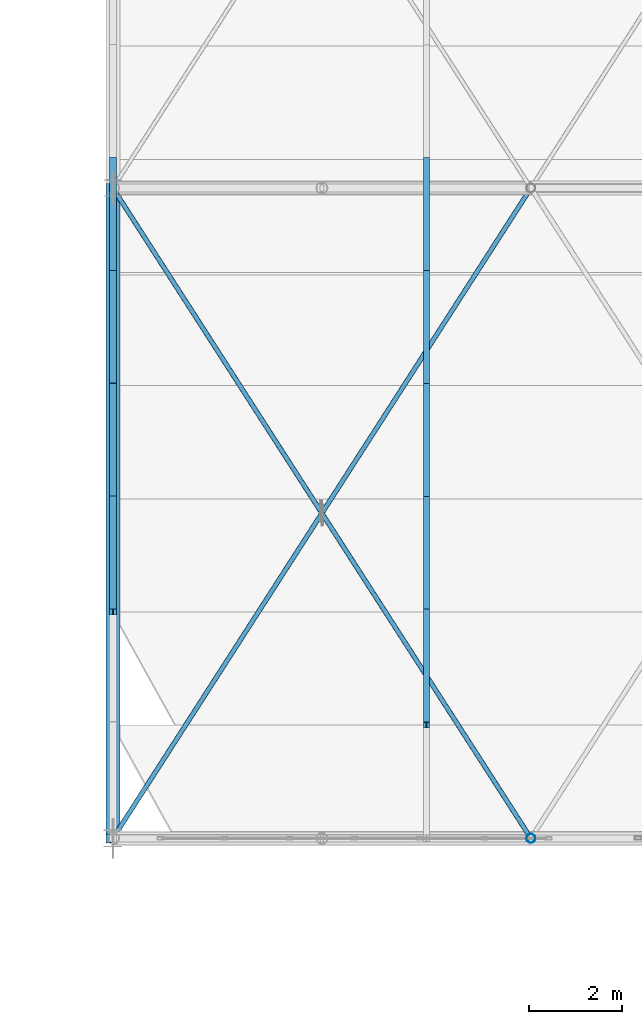
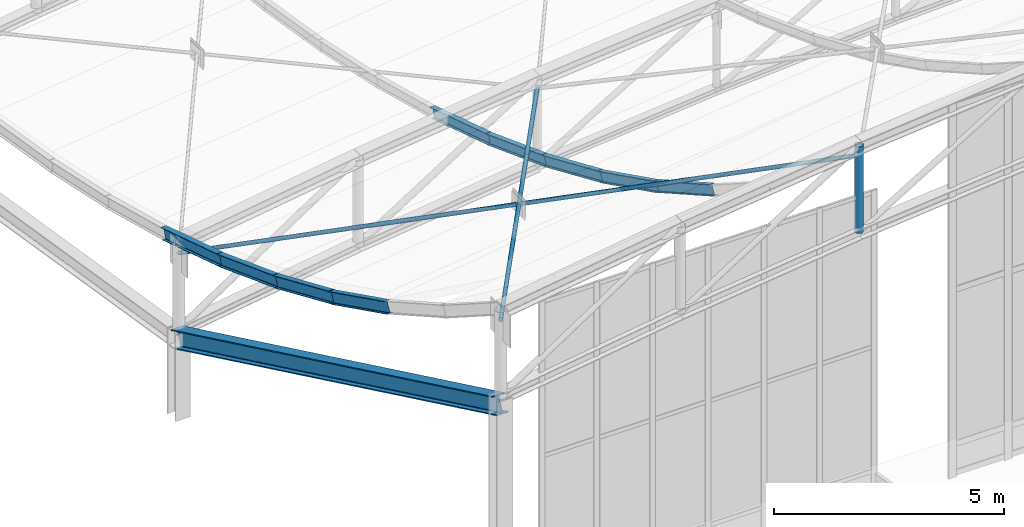
# One storey, part 138 of 262: 13 members, 1 beam.
"""IFC4 building model written with IfcOpenShell, lengths in metres."""

import ifcopenshell
import ifcopenshell.guid

model = None  # the IFC model being written
_history = None  # IfcOwnerHistory: only IFC2X3 demands one
_inside = {}  # id of a spatial element -> (the spatial element, [elements in it])
_under = {}  # id of a project, library or spatial element -> (it, [spatial elements below it])
_declared = {}  # id of a project -> (the project, [libraries it declares])
_typed = {}  # id of a type object -> (the type object, [elements of that type])
_made_of = {}  # id of a material, layer set ... -> (it, [elements and type objects made of it])


def new_model(schema):
    """Start an empty IFC model of exactly this schema.

    Asked for "IFC4X3", IfcOpenShell would pick the latest addendum, in which some entities
    have other attributes; the version numbers below select the first issue.
    IFC2X3 requires an IfcOwnerHistory on every rooted entity: one is made here for all.
    """
    global model, _history
    if schema == "IFC4X3":
        model = ifcopenshell.file(schema_version=(4, 3, 0, 0))
    else:
        model = ifcopenshell.file(schema=schema)
    _inside.clear()
    _under.clear()
    _declared.clear()
    _typed.clear()
    _made_of.clear()
    _history = None
    if model.schema == "IFC2X3":
        org = make("IfcOrganization", Name="unknown")
        user = make(
            "IfcPersonAndOrganization",
            ThePerson=make("IfcPerson", FamilyName="unknown"),
            TheOrganization=org,
        )
        app = make(
            "IfcApplication",
            ApplicationDeveloper=org,
            Version="unknown",
            ApplicationFullName="unknown",
            ApplicationIdentifier="unknown",
        )
        _history = make(
            "IfcOwnerHistory",
            OwningUser=user,
            OwningApplication=app,
            ChangeAction="ADDED",
            CreationDate=0,
        )
    return model


def make(cls, **values):
    """One entity of the class cls with the attributes given. An attribute that is None is left unset."""
    return model.create_entity(
        cls, **{name: value for name, value in values.items() if value is not None}
    )


def rooted(cls, **values):
    """An entity with a GlobalId (a new one), such as an element, a storey or a relation."""
    return make(cls, GlobalId=ifcopenshell.guid.new(), OwnerHistory=_history, **values)


def si_unit(unit_type, name, prefix=None):
    """IfcSIUnit, for example si_unit("LENGTHUNIT", "METRE", prefix="MILLI")."""
    return make("IfcSIUnit", UnitType=unit_type, Prefix=prefix, Name=name)


def derived_unit(unit_type, elements):
    """IfcDerivedUnit: a product of units, each with its exponent."""
    return make(
        "IfcDerivedUnit",
        Elements=[
            make("IfcDerivedUnitElement", Unit=unit, Exponent=power)
            for unit, power in elements
        ],
        UnitType=unit_type,
    )


def assignment(units):
    """IfcUnitAssignment: the units of a project."""
    return None if units is None else make("IfcUnitAssignment", Units=units)


def point(xyz):
    """IfcCartesianPoint."""
    return None if xyz is None else make("IfcCartesianPoint", Coordinates=xyz)


def direction(xyz):
    """IfcDirection."""
    return None if xyz is None else make("IfcDirection", DirectionRatios=xyz)


def frame(location, z_axis=None, x_axis=None):
    """IfcAxis2Placement3D, a coordinate frame: its origin and axes. An axis left out is left unset."""
    return make(
        "IfcAxis2Placement3D",
        Location=point(location),
        Axis=direction(z_axis),
        RefDirection=direction(x_axis),
    )


def frame_2d(location, x_axis=None):
    """IfcAxis2Placement2D, a coordinate frame in the plane: its origin and x axis."""
    return make(
        "IfcAxis2Placement2D", Location=point(location), RefDirection=direction(x_axis)
    )


def origin():
    """The frame at (0, 0, 0) with its axes left unset."""
    return frame((0.0, 0.0, 0.0))


def origin_2d():
    """The frame at (0, 0) in the plane with its x axis left unset."""
    return frame_2d((0.0, 0.0))


def place(relative_to, where):
    """IfcLocalPlacement: puts the frame where relative to a parent placement (None: the world)."""
    return make(
        "IfcLocalPlacement", PlacementRelTo=relative_to, RelativePlacement=where
    )


def context(
    kind, dimensions, precision=None, world=None, true_north=None, identifier=None
):
    """IfcGeometricRepresentationContext, for example the 3D "Model" context."""
    return make(
        "IfcGeometricRepresentationContext",
        ContextIdentifier=identifier,
        ContextType=kind,
        CoordinateSpaceDimension=dimensions,
        Precision=precision,
        WorldCoordinateSystem=world,
        TrueNorth=true_north,
    )


def subcontext(parent, identifier, kind, view, scale=None):
    """IfcGeometricRepresentationSubContext, for example "Body" below "Model"."""
    return make(
        "IfcGeometricRepresentationSubContext",
        ContextIdentifier=identifier,
        ContextType=kind,
        ParentContext=parent,
        TargetScale=scale,
        TargetView=view,
    )


def project(units=None, contexts=None):
    """IfcProject with its units and contexts."""
    return rooted(
        "IfcProject",
        Name="project",
        RepresentationContexts=contexts,
        UnitsInContext=assignment(units),
    )


def spatial(cls, under=None, at=None, **own):
    """A site, building, storey or space (cls), placed at a placement, below another one or the project."""
    s = rooted(cls, ObjectPlacement=at, **own)
    if under is not None:
        _under.setdefault(under.id(), (under, []))[1].append(s)
    return s


def profile(cls, at=None, kind="AREA", **sizes):
    """A parametric profile (cls). Its sizes go by their IFC names, for example OverallWidth=200.0."""
    return make(cls, ProfileType=kind, Position=at, **sizes)


def hollow_circle(**sizes):
    """IfcCircleHollowProfileDef."""
    return profile("IfcCircleHollowProfileDef", **sizes)


def i_section(**sizes):
    """IfcIShapeProfileDef."""
    return profile("IfcIShapeProfileDef", **sizes)


def extrude(swept, where, along, depth):
    """IfcExtrudedAreaSolid: the profile swept, set in the frame where, extruded along a direction by depth."""
    return make(
        "IfcExtrudedAreaSolid",
        SweptArea=swept,
        Position=where,
        ExtrudedDirection=direction(along),
        Depth=depth,
    )


def shape(context_of_items, identifier, shape_type, items):
    """IfcShapeRepresentation: the items that make up one representation, for example the "Body"."""
    return make(
        "IfcShapeRepresentation",
        ContextOfItems=context_of_items,
        RepresentationIdentifier=identifier,
        RepresentationType=shape_type,
        Items=items,
    )


def material(Name=None, Category=None):
    """IfcMaterial."""
    return make("IfcMaterial", Name=Name, Category=Category)


def material_profile(
    of_material, cross_section, Name=None, Category=None, Priority=None
):
    """IfcMaterialProfile: a cross section and its material."""
    return make(
        "IfcMaterialProfile",
        Name=Name,
        Material=of_material,
        Profile=cross_section,
        Priority=Priority,
        Category=Category,
    )


def profile_set(profiles, Name=None, composite=None):
    """IfcMaterialProfileSet."""
    return make(
        "IfcMaterialProfileSet",
        Name=Name,
        MaterialProfiles=profiles,
        CompositeProfile=composite,
    )


def made_of(thing, what):
    """Note that an element or type object is made of a material, layer set ...; save() writes the relation."""
    if what is not None:
        _made_of.setdefault(what.id(), (what, []))[1].append(thing)
    return thing


def type_object(cls, material=None, **own):
    """A type object (cls), such as IfcWallType, which elements share."""
    return made_of(rooted(cls, **own), material)


def element(
    cls,
    number,
    at=None,
    inside=None,
    cuts=None,
    type_object=None,
    material=None,
    context=None,
    identifier="Body",
    shape_type=None,
    held_by="IfcProductDefinitionShape",
    body=None,
    shapes=None,
    **own,
):
    """One element of the class cls, such as IfcWall. Its Tag is "e" and its number.

    at: its placement. inside: the storey or other place that contains it. cuts: it is an
    opening in that element (IfcRelVoidsElement). A single representation is given by context,
    identifier, shape_type and body (its items); several are given by shapes. held_by: the class
    of the entity that holds the representations. save() writes the other relations.
    """
    e = rooted(cls, Tag="e%d" % number, ObjectPlacement=at, **own)
    if body is not None:
        shapes = [shape(context, identifier, shape_type, body)]
    if shapes is not None:
        e.Representation = make(held_by, Representations=shapes)
    if inside is not None:
        _inside.setdefault(inside.id(), (inside, []))[1].append(e)
    if cuts is not None:
        rooted(
            "IfcRelVoidsElement", RelatingBuildingElement=cuts, RelatedOpeningElement=e
        )
    if type_object is not None:
        _typed.setdefault(type_object.id(), (type_object, []))[1].append(e)
    return made_of(e, material)


def aggregate(whole, parts):
    """IfcRelAggregates: a whole, such as a stair, and the parts it consists of."""
    return rooted("IfcRelAggregates", RelatingObject=whole, RelatedObjects=parts)


def save(model, path):
    """Write the relations noted so far, then the file.

    IfcRelAggregates (storeys below a building ...), IfcRelContainedInSpatialStructure (elements
    in a storey), IfcRelDefinesByType, IfcRelAssociatesMaterial and IfcRelDeclares: one each for
    every whole, place, type object, material and project.
    """
    for whole, parts in _under.values():
        aggregate(whole, parts)
    for where, things in _inside.values():
        rooted(
            "IfcRelContainedInSpatialStructure",
            RelatedElements=things,
            RelatingStructure=where,
        )
    for kind, things in _typed.values():
        rooted("IfcRelDefinesByType", RelatedObjects=things, RelatingType=kind)
    for what, things in _made_of.values():
        rooted("IfcRelAssociatesMaterial", RelatedObjects=things, RelatingMaterial=what)
    for by, libraries in _declared.values():
        rooted("IfcRelDeclares", RelatingContext=by, RelatedDefinitions=libraries)
    model.write(path)


model = new_model("IFC4")

# Units and contexts
model_context = context("Model", 3, precision=1e-05, world=origin(), true_north=direction((0.0, 1.0)))
body_context = subcontext(model_context, "Body", "Model", "MODEL_VIEW")
ifc_project = project(units=[si_unit("LENGTHUNIT", "METRE"), si_unit("AREAUNIT", "SQUARE_METRE"), si_unit("VOLUMEUNIT", "CUBIC_METRE"), si_unit("PLANEANGLEUNIT", "RADIAN"), si_unit("MASSUNIT", "GRAM", prefix="KILO"), derived_unit("THERMALTRANSMITTANCEUNIT", [(si_unit("POWERUNIT", "WATT"), 1), (si_unit("LENGTHUNIT", "METRE"), -2), (si_unit("THERMODYNAMICTEMPERATUREUNIT", "KELVIN"), -1)])], contexts=[model_context])

# Site, building, storey
site_placement = place(None, origin())
site = spatial("IfcSite", under=ifc_project, at=site_placement, CompositionType="ELEMENT")
building_placement = place(site_placement, origin())
building = spatial("IfcBuilding", under=site, at=building_placement, Name="Almenara Railside Exhibition Hall", CompositionType="ELEMENT")
storey_placement = place(building_placement, frame((0.0, 0.0, 21.699951171875)))
storey = spatial("IfcBuildingStorey", under=building, at=storey_placement, Name="RF", CompositionType="ELEMENT", Elevation=21.699951171875)

# Members
ifc_material = material(Name="Structural steel S355JR", Category="steel")
ifc_material_profile_1 = material_profile(ifc_material, i_section(OverallWidth=0.14990234375, OverallDepth=0.300048828125, WebThickness=0.007080078125, FlangeThickness=0.0107421875, FilletRadius=0.014892578125, at=origin_2d()), Name="IPE 300")
ifc_profile_set_1 = profile_set([ifc_material_profile_1], Name="Structural steel S355JR")
member_type_1 = type_object("IfcMemberType", Name="East Hall Ridge Purlin IPE 300 S355JR", PredefinedType="PURLIN", material=ifc_profile_set_1)
member_1_placement = place(storey_placement, frame((138.0, 38.873291015625, -1.197265625), z_axis=(0.0, 0.895411841447, -0.445238850727), x_axis=(-1.0, 0.0, 0.0)))
element("IfcMember", 1, at=member_1_placement, inside=storey, type_object=member_type_1, Name="MEM-PR-V2-PR-IPE300-00-02", PredefinedType="PURLIN", context=body_context, shape_type="SweptSolid", body=[
    extrude(i_section(OverallWidth=0.14990234375, OverallDepth=0.300048828125, WebThickness=0.007080078125, FlangeThickness=0.0107421875, FilletRadius=0.014892578125, at=origin_2d()), origin(), (0.0, 0.0, 1.0), 2.721435546875),
])
member_2_placement = place(storey_placement, frame((138.0, 41.31005859375, -2.39990234375), z_axis=(0.0, 0.917223393452, -0.398373250237), x_axis=(-1.0, 0.0, 0.0)))
element("IfcMember", 2, at=member_2_placement, inside=storey, type_object=member_type_1, Name="MEM-PR-V2-PR-IPE300-00-03", PredefinedType="PURLIN", context=body_context, shape_type="SweptSolid", body=[
    extrude(i_section(OverallWidth=0.14990234375, OverallDepth=0.300048828125, WebThickness=0.007080078125, FlangeThickness=0.0107421875, FilletRadius=0.014892578125, at=origin_2d()), origin(), (0.0, 0.0, 1.0), 2.65673828125),
])
member_3_placement = place(storey_placement, frame((138.0, 43.746826171875, -3.45068359375), z_axis=(0.0, 0.936171044044, -0.351544842508), x_axis=(-1.0, 0.0, 0.0)))
element("IfcMember", 3, at=member_3_placement, inside=storey, type_object=member_type_1, Name="MEM-PR-V2-PR-IPE300-00-04", PredefinedType="PURLIN", context=body_context, shape_type="SweptSolid", body=[
    extrude(i_section(OverallWidth=0.14990234375, OverallDepth=0.300048828125, WebThickness=0.007080078125, FlangeThickness=0.0107421875, FilletRadius=0.014892578125, at=origin_2d()), origin(), (0.0, 0.0, 1.0), 2.60302734375),
])
member_4_placement = place(storey_placement, frame((138.0, 46.18359375, -4.359375), z_axis=(0.0, 0.952440767254, -0.304723784553), x_axis=(-1.0, 0.0, 0.0)))
element("IfcMember", 4, at=member_4_placement, inside=storey, type_object=member_type_1, Name="MEM-PR-V2-PR-IPE300-00-05", PredefinedType="PURLIN", context=body_context, shape_type="SweptSolid", body=[
    extrude(i_section(OverallWidth=0.14990234375, OverallDepth=0.300048828125, WebThickness=0.007080078125, FlangeThickness=0.0107421875, FilletRadius=0.014892578125, at=origin_2d()), origin(), (0.0, 0.0, 1.0), 2.55810546875),
])
ifc_material_profile_2 = material_profile(ifc_material, i_section(OverallWidth=0.135009765625, OverallDepth=0.27001953125, WebThickness=0.006591796875, FlangeThickness=0.01025390625, FilletRadius=0.014892578125, at=origin_2d()), Name="IPE 270")
ifc_profile_set_2 = profile_set([ifc_material_profile_2], Name="Structural steel S355JR")
member_type_2 = type_object("IfcMemberType", Name="East Hall Standard Purlin IPE 270 S355JR", PredefinedType="PURLIN", material=ifc_profile_set_2)
member_5_placement = place(storey_placement, frame((144.75, 36.436767578125, 1.033203125), z_axis=(0.0, 0.870483227181, -0.492198081261), x_axis=(-1.0, 0.0, 0.0)))
element("IfcMember", 5, at=member_5_placement, inside=storey, type_object=member_type_2, Name="MEM-PR-V2-PR-IPE270-01-01", PredefinedType="PURLIN", context=body_context, shape_type="SweptSolid", body=[
    extrude(i_section(OverallWidth=0.135009765625, OverallDepth=0.27001953125, WebThickness=0.006591796875, FlangeThickness=0.01025390625, FilletRadius=0.014892578125, at=origin_2d()), origin(), (0.0, 0.0, 1.0), 2.799072265625),
])
member_6_placement = place(storey_placement, frame((144.75, 38.873291015625, -0.351318359375), z_axis=(0.0, 0.895376074457, -0.445310773831), x_axis=(-1.0, 0.0, 0.0)))
element("IfcMember", 6, at=member_6_placement, inside=storey, type_object=member_type_2, Name="MEM-PR-V2-PR-IPE270-01-02", PredefinedType="PURLIN", context=body_context, shape_type="SweptSolid", body=[
    extrude(i_section(OverallWidth=0.135009765625, OverallDepth=0.27001953125, WebThickness=0.006591796875, FlangeThickness=0.01025390625, FilletRadius=0.014892578125, at=origin_2d()), origin(), (0.0, 0.0, 1.0), 2.721435546875),
])
member_7_placement = place(storey_placement, frame((144.75, 41.31005859375, -1.554443359375), z_axis=(0.0, 0.917189812532, -0.398450558775), x_axis=(-1.0, 0.0, 0.0)))
element("IfcMember", 7, at=member_7_placement, inside=storey, type_object=member_type_2, Name="MEM-PR-V2-PR-IPE270-01-03", PredefinedType="PURLIN", context=body_context, shape_type="SweptSolid", body=[
    extrude(i_section(OverallWidth=0.135009765625, OverallDepth=0.27001953125, WebThickness=0.006591796875, FlangeThickness=0.01025390625, FilletRadius=0.014892578125, at=origin_2d()), origin(), (0.0, 0.0, 1.0), 2.65673828125),
])
member_8_placement = place(storey_placement, frame((144.75, 43.746826171875, -2.605712890625), z_axis=(0.0, 0.936171044044, -0.351544842508), x_axis=(-1.0, 0.0, 0.0)))
element("IfcMember", 8, at=member_8_placement, inside=storey, type_object=member_type_2, Name="MEM-PR-V2-PR-IPE270-01-04", PredefinedType="PURLIN", context=body_context, shape_type="SweptSolid", body=[
    extrude(i_section(OverallWidth=0.135009765625, OverallDepth=0.27001953125, WebThickness=0.006591796875, FlangeThickness=0.01025390625, FilletRadius=0.014892578125, at=origin_2d()), origin(), (0.0, 0.0, 1.0), 2.60302734375),
])
member_9_placement = place(storey_placement, frame((144.75, 46.18359375, -3.5146484375), z_axis=(0.0, 0.952440767254, -0.304723784553), x_axis=(-1.0, 0.0, 0.0)))
element("IfcMember", 9, at=member_9_placement, inside=storey, type_object=member_type_2, Name="MEM-PR-V2-PR-IPE270-01-05", PredefinedType="PURLIN", context=body_context, shape_type="SweptSolid", body=[
    extrude(i_section(OverallWidth=0.135009765625, OverallDepth=0.27001953125, WebThickness=0.006591796875, FlangeThickness=0.01025390625, FilletRadius=0.014892578125, at=origin_2d()), origin(), (0.0, 0.0, 1.0), 2.55810546875),
])
ifc_material_profile_3 = material_profile(ifc_material, hollow_circle(Radius=0.05078125, WallThickness=0.00390625, at=origin_2d()), Name="CHS 101.6x4")
ifc_profile_set_3 = profile_set([ifc_material_profile_3], Name="Structural steel S355JR")
member_type_3 = type_object("IfcMemberType", Name="Scroll Wind Plan Brace CHS 101.6x4 S355JR", PredefinedType="BRACE", material=ifc_profile_set_3)
member_10_placement = place(storey_placement, frame((138.0, 34.0, 1.420166015625), z_axis=(0.513499706441, 0.79877732113, -0.313484996025), x_axis=(-0.841178475377, 0.540757591313, 0.0)))
element("IfcMember", 10, at=member_10_placement, inside=storey, type_object=member_type_3, Name="MEM-WB-V2-WB-CHS102-00-00-C", PredefinedType="BRACE", context=body_context, shape_type="SweptSolid", body=[
    extrude(hollow_circle(Radius=0.05078125, WallThickness=0.00390625, at=origin_2d()), origin(), (0.0, 0.0, 1.0), 17.52685546875),
])
member_11_placement = place(storey_placement, frame((147.0, 34.0, 2.642333984375), z_axis=(-0.488083180786, 0.759228664453, -0.430519039888), x_axis=(-0.841174639753, -0.540763557792, 0.0)))
element("IfcMember", 11, at=member_11_placement, inside=storey, type_object=member_type_3, Name="MEM-WB-V2-WB-CHS102-00-00-S1", PredefinedType="BRACE", context=body_context, shape_type="SweptSolid", body=[
    extrude(hollow_circle(Radius=0.05078125, WallThickness=0.00390625, at=origin_2d()), origin(), (0.0, 0.0, 1.0), 9.165283203125),
])
member_12_placement = place(storey_placement, frame((142.473388671875, 41.04150390625, -1.350830078125), z_axis=(-0.488088778072, 0.759237371207, -0.430497338996), x_axis=(-0.841174639753, -0.540763557792, 0.0)))
element("IfcMember", 12, at=member_12_placement, inside=storey, type_object=member_type_3, Name="MEM-WB-V2-WB-CHS102-00-00-S2", PredefinedType="BRACE", context=body_context, shape_type="SweptSolid", body=[
    extrude(hollow_circle(Radius=0.05078125, WallThickness=0.00390625, at=origin_2d()), origin(), (0.0, 0.0, 1.0), 9.1650390625),
])

# Beam
ifc_material_profile_4 = material_profile(ifc_material, i_section(OverallWidth=0.300048828125, OverallDepth=0.449951171875, WebThickness=0.013916015625, FlangeThickness=0.02587890625, FilletRadius=0.027099609375, at=origin_2d()), Name="HEB 450")
ifc_profile_set_4 = profile_set([ifc_material_profile_4], Name="Structural steel S355JR")
beam_type = type_object("IfcBeamType", Name="Steel Roof Eaves Tie Girder HEB 450 S355JR", PredefinedType="USERDEFINED", material=ifc_profile_set_4)
beam_placement = place(storey_placement, frame((138.0, 34.0, -0.824951171875), z_axis=(0.0, 0.901609647844, -0.432550624683), x_axis=(-1.0, 0.0, 0.0)))
element("IfcBeam", 13, at=beam_placement, inside=storey, type_object=beam_type, Name="Beam 0975", ObjectType="GIRDER", PredefinedType="USERDEFINED", context=body_context, shape_type="SweptSolid", body=[
    extrude(i_section(OverallWidth=0.300048828125, OverallDepth=0.449951171875, WebThickness=0.013916015625, FlangeThickness=0.02587890625, FilletRadius=0.027099609375, at=origin_2d()), origin(), (0.0, 0.0, 1.0), 15.52783203125),
])

# Member
ifc_material_profile_5 = material_profile(ifc_material, hollow_circle(Radius=0.096923828125, WallThickness=0.00634765625, at=origin_2d()), Name="CHS 193.7x6.3")
ifc_profile_set_5 = profile_set([ifc_material_profile_5], Name="Structural steel S355JR")
member_type_4 = type_object("IfcMemberType", Name="Truss Standard Vertical Strut CHS 193.7x6.3 S355JR", PredefinedType="BRACE", material=ifc_profile_set_5)
member_13_placement = place(storey_placement, frame((147.0, 34.0, 0.622314453125), z_axis=(0.0, 0.0, 1.0), x_axis=(1.0, 0.0, 0.0)))
element("IfcMember", 14, at=member_13_placement, inside=storey, type_object=member_type_4, Name="MEM-TV-V2-00-02", PredefinedType="BRACE", context=body_context, shape_type="SweptSolid", body=[
    extrude(hollow_circle(Radius=0.096923828125, WallThickness=0.00634765625, at=origin_2d()), origin(), (0.0, 0.0, 1.0), 2.300048828125),
])

save(model, "model.ifc")
